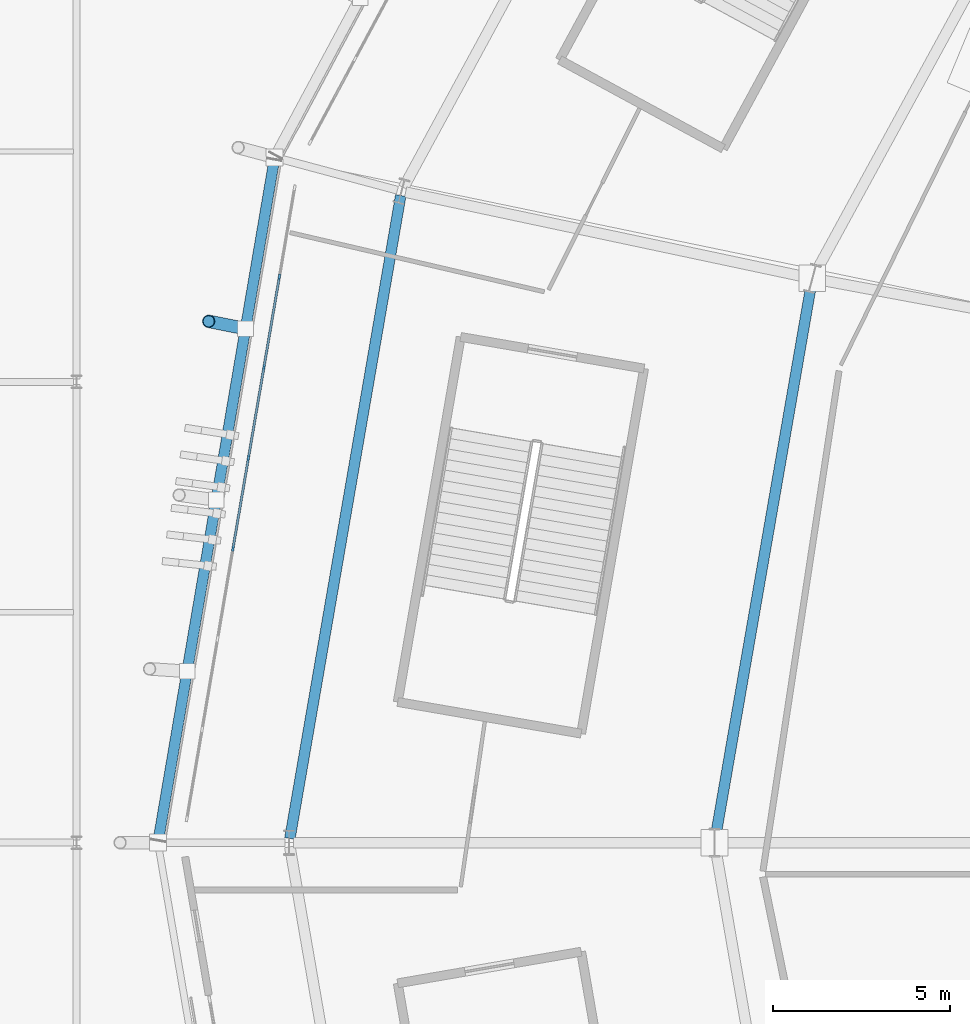
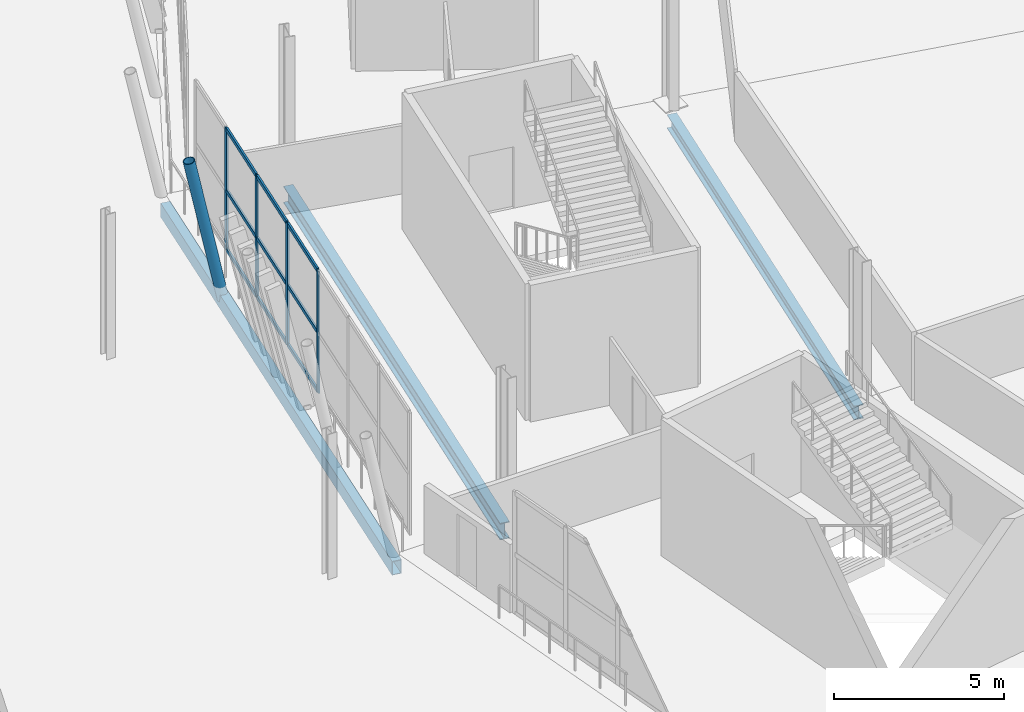
# One storey, part 38 of 168: 14 members, 3 beams, 1 element without a shape of its own.
"""IFC4 building model written with IfcOpenShell, lengths in metres."""

from ifc_helpers import new_model, si_unit, direction, frame, origin, origin_2d, place, context, subcontext, project, spatial, rectangle, hollow_rectangle, hollow_circle, i_section, extrude, material, material_profile, profile_set, type_object, element, aggregate, save


model = new_model("IFC4")

# Units and contexts
model_context = context("Model", 3, precision=1e-05, world=origin(), true_north=direction((0.0, 1.0)))
body_context = subcontext(model_context, "Body", "Model", "MODEL_VIEW")
ifc_project = project(units=[si_unit("LENGTHUNIT", "METRE"), si_unit("AREAUNIT", "SQUARE_METRE"), si_unit("VOLUMEUNIT", "CUBIC_METRE"), si_unit("PLANEANGLEUNIT", "RADIAN"), si_unit("MASSUNIT", "GRAM", prefix="KILO")], contexts=[model_context])

# Site, building, storey
site_placement = place(None, origin())
site = spatial("IfcSite", under=ifc_project, at=site_placement, CompositionType="ELEMENT")
building_placement = place(site_placement, origin())
building = spatial("IfcBuilding", under=site, at=building_placement, Name="Zlatoyarsky Gate Stadium", CompositionType="ELEMENT")
storey_placement = place(building_placement, frame((0.0, 0.0, 15.60009765625)))
storey = spatial("IfcBuildingStorey", under=building, at=storey_placement, Name="L03", CompositionType="ELEMENT", Elevation=15.60009765625)

# Curtain wall, members
ifc_material_1 = material(Name="Thermally broken anodised aluminium curtain wall", Category="aluminium")
curtain_wall_type = type_object("IfcCurtainWallType", Name="UNITISED CORPORATE BOX GLAZING L03", PredefinedType="USERDEFINED", material=ifc_material_1)
curtain_wall_placement = place(storey_placement, origin())
curtain_wall = element("IfcCurtainWall", 1, at=curtain_wall_placement, inside=storey, type_object=curtain_wall_type, Name="Curtain wall CW-L03-11", ObjectType="UNITISED GLAZING", PredefinedType="USERDEFINED")
ifc_material_2 = material(Name="Anodised aluminium 6063-T6", Category="aluminium")
ifc_material_profile_1 = material_profile(ifc_material_2, rectangle(XDim=0.06494140625, YDim=0.159912109375, at=origin_2d()), Name="ALU 65X160")
ifc_profile_set_1 = profile_set([ifc_material_profile_1], Name="Anodised aluminium 6063-T6")
member_type_1 = type_object("IfcMemberType", Name="ALUMINIUM MULLION 65X160", PredefinedType="MULLION", material=ifc_profile_set_1)
member_1_placement = place(storey_placement, frame((17.7236328125, 95.95947265625, 0.0), z_axis=(0.0, 0.0, 1.0), x_axis=(0.985726202408, -0.168356330104, 0.0)))
member_1 = element("IfcMember", 2, at=member_1_placement, type_object=member_type_1, Name="CW-UG3 mullion 2", PredefinedType="MULLION", context=body_context, shape_type="SweptSolid", body=[
    extrude(rectangle(XDim=0.06494140625, YDim=0.159912109375, at=origin_2d()), origin(), (0.0, 0.0, 1.0), 4.3798828125),
])
member_2_placement = place(storey_placement, frame((17.28759765625, 93.40625, 0.0), z_axis=(0.0, 0.0, 1.0), x_axis=(0.985726202408, -0.168356330104, 0.0)))
member_2 = element("IfcMember", 3, at=member_2_placement, type_object=member_type_1, Name="CW-UG3 mullion 3", PredefinedType="MULLION", context=body_context, shape_type="SweptSolid", body=[
    extrude(rectangle(XDim=0.06494140625, YDim=0.159912109375, at=origin_2d()), origin(), (0.0, 0.0, 1.0), 4.3798828125),
])
member_3_placement = place(storey_placement, frame((16.851318359375, 90.853271484375, 0.0), z_axis=(0.0, 0.0, 1.0), x_axis=(0.985726202408, -0.168356330104, 0.0)))
member_3 = element("IfcMember", 4, at=member_3_placement, type_object=member_type_1, Name="CW-UG3 mullion 4", PredefinedType="MULLION", context=body_context, shape_type="SweptSolid", body=[
    extrude(rectangle(XDim=0.06494140625, YDim=0.159912109375, at=origin_2d()), origin(), (0.0, 0.0, 1.0), 4.3798828125),
])
member_4_placement = place(storey_placement, frame((16.415283203125, 88.300048828125, 0.0), z_axis=(0.0, 0.0, 1.0), x_axis=(0.985726202408, -0.168356330104, 0.0)))
member_4 = element("IfcMember", 5, at=member_4_placement, type_object=member_type_1, Name="CW-UG3 mullion 5", PredefinedType="MULLION", context=body_context, shape_type="SweptSolid", body=[
    extrude(rectangle(XDim=0.06494140625, YDim=0.159912109375, at=origin_2d()), origin(), (0.0, 0.0, 1.0), 4.3798828125),
])
ifc_material_profile_2 = material_profile(ifc_material_2, rectangle(XDim=0.06494140625, YDim=0.139892578125, at=origin_2d()), Name="ALU 65X140")
ifc_profile_set_2 = profile_set([ifc_material_profile_2], Name="Anodised aluminium 6063-T6")
member_type_2 = type_object("IfcMemberType", Name="ALUMINIUM TRANSOM 65X140", PredefinedType="USERDEFINED", material=ifc_profile_set_2)
member_5_placement = place(storey_placement, frame((17.718017578125, 95.92724609375, 0.032470703125), z_axis=(-0.168333125822, -0.985730165284, 0.0), x_axis=(0.985730165284, -0.168333125822, 0.0)))
member_5 = element("IfcMember", 6, at=member_5_placement, type_object=member_type_2, Name="CW-UG3 transom 2.1", ObjectType="TRANSOM", PredefinedType="USERDEFINED", context=body_context, shape_type="SweptSolid", body=[
    extrude(rectangle(XDim=0.06494140625, YDim=0.139892578125, at=origin_2d()), origin(), (0.0, 0.0, 1.0), 2.525146484375),
])
member_6_placement = place(storey_placement, frame((17.718017578125, 95.92724609375, 2.14990234375), z_axis=(-0.168333125822, -0.985730165284, 0.0), x_axis=(0.985730165284, -0.168333125822, 0.0)))
member_6 = element("IfcMember", 7, at=member_6_placement, type_object=member_type_2, Name="CW-UG3 transom 2.2", ObjectType="TRANSOM", PredefinedType="USERDEFINED", context=body_context, shape_type="SweptSolid", body=[
    extrude(rectangle(XDim=0.06494140625, YDim=0.139892578125, at=origin_2d()), origin(), (0.0, 0.0, 1.0), 2.525146484375),
])
member_7_placement = place(storey_placement, frame((17.718017578125, 95.92724609375, 4.347412109375), z_axis=(-0.168333125822, -0.985730165284, 0.0), x_axis=(0.985730165284, -0.168333125822, 0.0)))
member_7 = element("IfcMember", 8, at=member_7_placement, type_object=member_type_2, Name="CW-UG3 transom 2.3", ObjectType="TRANSOM", PredefinedType="USERDEFINED", context=body_context, shape_type="SweptSolid", body=[
    extrude(rectangle(XDim=0.06494140625, YDim=0.139892578125, at=origin_2d()), origin(), (0.0, 0.0, 1.0), 2.525146484375),
])
member_8_placement = place(storey_placement, frame((17.281982421875, 93.374267578125, 0.032470703125), z_axis=(-0.168333125822, -0.985730165284, 0.0), x_axis=(0.985730165284, -0.168333125822, 0.0)))
member_8 = element("IfcMember", 9, at=member_8_placement, type_object=member_type_2, Name="CW-UG3 transom 3.1", ObjectType="TRANSOM", PredefinedType="USERDEFINED", context=body_context, shape_type="SweptSolid", body=[
    extrude(rectangle(XDim=0.06494140625, YDim=0.139892578125, at=origin_2d()), origin(), (0.0, 0.0, 1.0), 2.525146484375),
])
member_9_placement = place(storey_placement, frame((17.281982421875, 93.374267578125, 2.14990234375), z_axis=(-0.168333125822, -0.985730165284, 0.0), x_axis=(0.985730165284, -0.168333125822, 0.0)))
member_9 = element("IfcMember", 10, at=member_9_placement, type_object=member_type_2, Name="CW-UG3 transom 3.2", ObjectType="TRANSOM", PredefinedType="USERDEFINED", context=body_context, shape_type="SweptSolid", body=[
    extrude(rectangle(XDim=0.06494140625, YDim=0.139892578125, at=origin_2d()), origin(), (0.0, 0.0, 1.0), 2.525146484375),
])
member_10_placement = place(storey_placement, frame((17.281982421875, 93.374267578125, 4.347412109375), z_axis=(-0.168333125822, -0.985730165284, 0.0), x_axis=(0.985730165284, -0.168333125822, 0.0)))
member_10 = element("IfcMember", 11, at=member_10_placement, type_object=member_type_2, Name="CW-UG3 transom 3.3", ObjectType="TRANSOM", PredefinedType="USERDEFINED", context=body_context, shape_type="SweptSolid", body=[
    extrude(rectangle(XDim=0.06494140625, YDim=0.139892578125, at=origin_2d()), origin(), (0.0, 0.0, 1.0), 2.525146484375),
])
member_11_placement = place(storey_placement, frame((16.845947265625, 90.821044921875, 0.032470703125), z_axis=(-0.168333125822, -0.985730165284, 0.0), x_axis=(0.985730165284, -0.168333125822, 0.0)))
member_11 = element("IfcMember", 12, at=member_11_placement, type_object=member_type_2, Name="CW-UG3 transom 4.1", ObjectType="TRANSOM", PredefinedType="USERDEFINED", context=body_context, shape_type="SweptSolid", body=[
    extrude(rectangle(XDim=0.06494140625, YDim=0.139892578125, at=origin_2d()), origin(), (0.0, 0.0, 1.0), 2.525146484375),
])
member_12_placement = place(storey_placement, frame((16.845947265625, 90.821044921875, 2.14990234375), z_axis=(-0.168333125822, -0.985730165284, 0.0), x_axis=(0.985730165284, -0.168333125822, 0.0)))
member_12 = element("IfcMember", 13, at=member_12_placement, type_object=member_type_2, Name="CW-UG3 transom 4.2", ObjectType="TRANSOM", PredefinedType="USERDEFINED", context=body_context, shape_type="SweptSolid", body=[
    extrude(rectangle(XDim=0.06494140625, YDim=0.139892578125, at=origin_2d()), origin(), (0.0, 0.0, 1.0), 2.525146484375),
])
member_13_placement = place(storey_placement, frame((16.845947265625, 90.821044921875, 4.347412109375), z_axis=(-0.168333125822, -0.985730165284, 0.0), x_axis=(0.985730165284, -0.168333125822, 0.0)))
member_13 = element("IfcMember", 14, at=member_13_placement, type_object=member_type_2, Name="CW-UG3 transom 4.3", ObjectType="TRANSOM", PredefinedType="USERDEFINED", context=body_context, shape_type="SweptSolid", body=[
    extrude(rectangle(XDim=0.06494140625, YDim=0.139892578125, at=origin_2d()), origin(), (0.0, 0.0, 1.0), 2.525146484375),
])
aggregate(curtain_wall, [member_1, member_2, member_3, member_4, member_5, member_6, member_7, member_8, member_9, member_10, member_11, member_12, member_13])

# Member
ifc_material_3 = material(Name="Steel S355", Category="steel")
ifc_material_profile_3 = material_profile(ifc_material_3, hollow_circle(Radius=0.177734375, WallThickness=0.02001953125, at=origin_2d()), Name="CHS 355.6X20")
ifc_profile_set_3 = profile_set([ifc_material_profile_3], Name="Steel S355")
member_type_3 = type_object("IfcMemberType", Name="STEEL LEANING RIB RING STRUT CHS 355.6X20", PredefinedType="STRUT", material=ifc_profile_set_3)
member_14_placement = place(storey_placement, frame((16.76904296875, 94.500732421875, -0.530029296875), z_axis=(-0.196702339053, 0.039201945037, 0.979679231849), x_axis=(-0.195452010217, -0.980713266813, 0.0)))
element("IfcMember", 15, at=member_14_placement, inside=storey, type_object=member_type_3, Name="Outward-leaning bowl louvre fin rib L03 11-1", PredefinedType="STRUT", context=body_context, shape_type="SweptSolid", body=[
    extrude(hollow_circle(Radius=0.177734375, WallThickness=0.02001953125, at=origin_2d()), origin(), (0.0, 0.0, 1.0), 5.287353515625),
])

# Beams
ifc_material_profile_4 = material_profile(ifc_material_3, hollow_rectangle(XDim=0.300048828125, YDim=0.5, WallThickness=0.02001953125, at=origin_2d()), Name="RHS 500X300X20")
ifc_profile_set_4 = profile_set([ifc_material_profile_4], Name="Steel S355")
beam_type_1 = type_object("IfcBeamType", Name="STEEL LOUVRE CARRIER SPANDREL RHS 500X300X20", PredefinedType="SPANDREL", material=ifc_profile_set_4)
beam_1_placement = place(storey_placement, frame((17.58935546875, 99.314697265625, -0.530029296875), z_axis=(-0.167990203177, -0.985788664794, 0.0), x_axis=(0.985788664794, -0.167990203177, 0.0)))
element("IfcBeam", 16, at=beam_1_placement, inside=storey, type_object=beam_type_1, Name="Beam SP-RHS500 BM-L03-SPD-11", PredefinedType="SPANDREL", context=body_context, shape_type="SweptSolid", body=[
    extrude(hollow_rectangle(XDim=0.300048828125, YDim=0.5, WallThickness=0.02001953125, at=origin_2d()), origin(), (0.0, 0.0, 1.0), 19.572998046875),
])
ifc_material_profile_5 = material_profile(ifc_material_3, i_section(OverallWidth=0.300048828125, OverallDepth=0.5, WebThickness=0.014404296875, FlangeThickness=0.028076171875, FilletRadius=0.027099609375, at=origin_2d()), Name="HEB 500")
ifc_profile_set_5 = profile_set([ifc_material_profile_5], Name="Steel S355")
beam_type_2 = type_object("IfcBeamType", Name="STEEL PRIMARY GIRDER HEB 500", PredefinedType="BEAM", material=ifc_profile_set_5)
beam_2_placement = place(storey_placement, frame((32.739501953125, 95.79931640625, -0.530029296875), z_axis=(-0.170843315562, -0.985298209441, 0.0), x_axis=(0.985298209441, -0.170843315562, 0.0)))
element("IfcBeam", 17, at=beam_2_placement, inside=storey, type_object=beam_type_2, Name="Beam G-HEB500 BM-L03-CRB-11", PredefinedType="BEAM", context=body_context, shape_type="SweptSolid", body=[
    extrude(i_section(OverallWidth=0.300048828125, OverallDepth=0.5, WebThickness=0.014404296875, FlangeThickness=0.028076171875, FilletRadius=0.027099609375, at=origin_2d()), origin(), (0.0, 0.0, 1.0), 15.9150390625),
])
ifc_material_profile_6 = material_profile(ifc_material_3, i_section(OverallWidth=0.300048828125, OverallDepth=0.60009765625, WebThickness=0.015380859375, FlangeThickness=0.030029296875, FilletRadius=0.027099609375, at=origin_2d()), Name="HEB 600")
ifc_profile_set_6 = profile_set([ifc_material_profile_6], Name="Steel S355")
beam_type_3 = type_object("IfcBeamType", Name="STEEL PRIMARY GIRDER HEB 600", PredefinedType="BEAM", material=ifc_profile_set_6)
beam_3_placement = place(storey_placement, frame((21.1484375, 98.2578125, -0.580078125), z_axis=(-0.169930456666, -0.985456056807, 0.0), x_axis=(0.985456056807, -0.169930456666, 0.0)))
element("IfcBeam", 18, at=beam_3_placement, inside=storey, type_object=beam_type_3, Name="Beam G-HEB600 BM-L03-CRC-11", PredefinedType="BEAM", context=body_context, shape_type="SweptSolid", body=[
    extrude(i_section(OverallWidth=0.300048828125, OverallDepth=0.60009765625, WebThickness=0.015380859375, FlangeThickness=0.030029296875, FilletRadius=0.027099609375, at=origin_2d()), origin(), (0.0, 0.0, 1.0), 18.4072265625),
])

save(model, "model.ifc")
